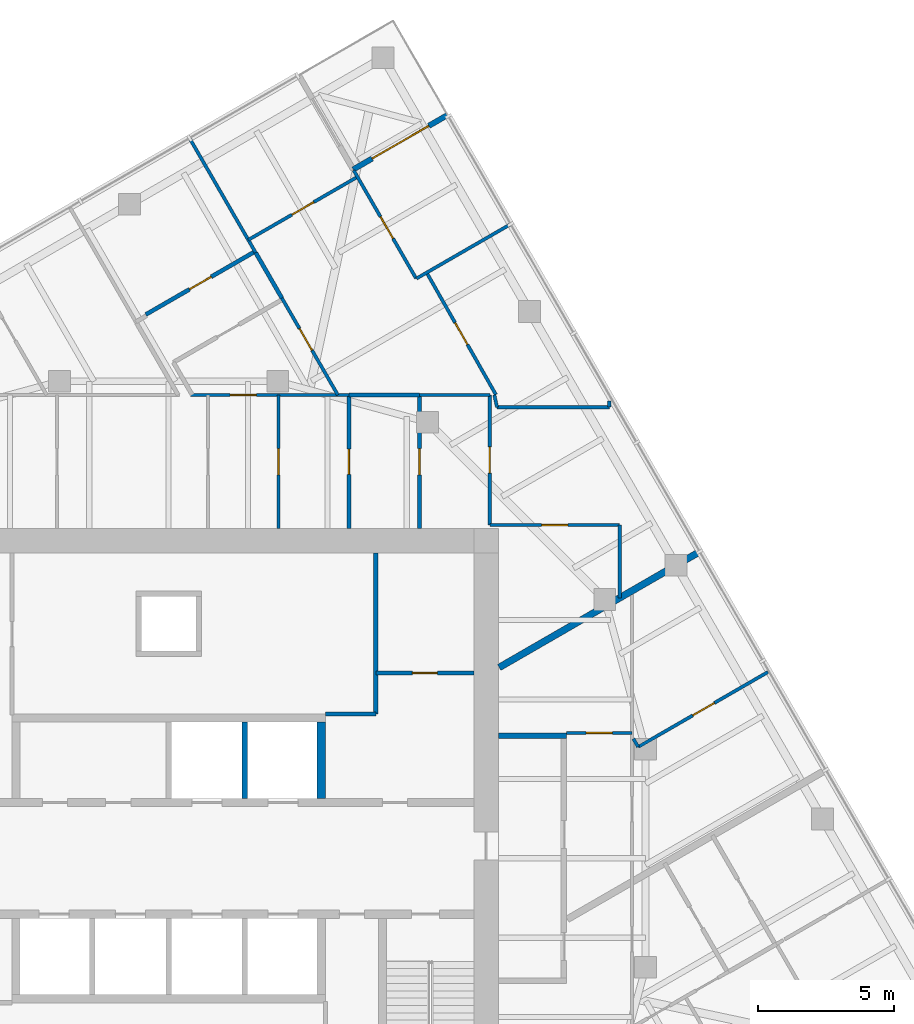
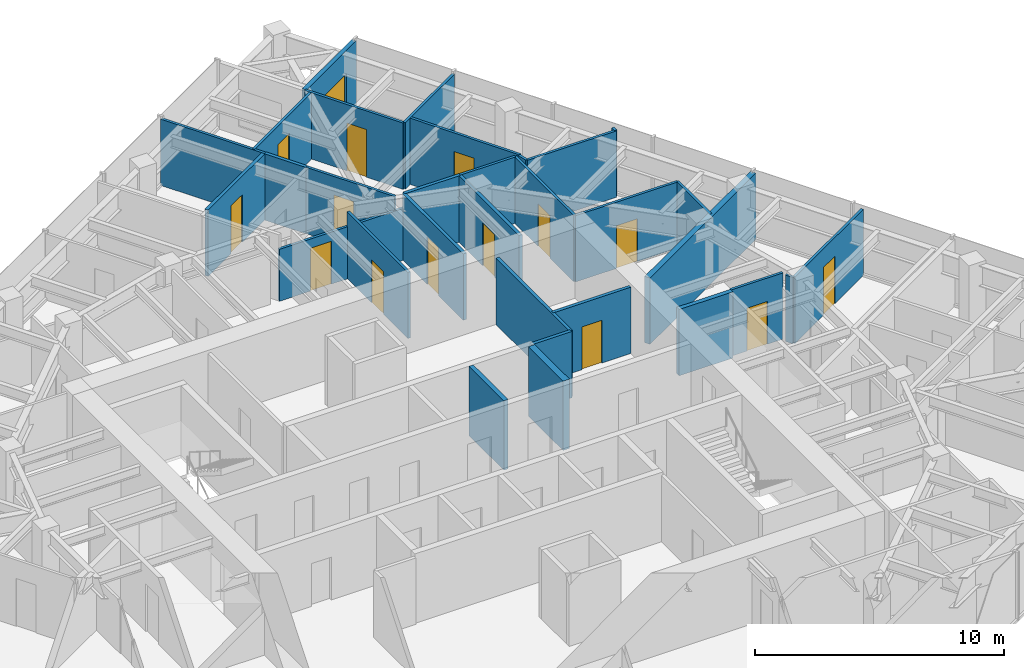
# One storey, part 11 of 13: 31 walls, 15 doors, 15 openings.
"""IFC4 building model written with IfcOpenShell, lengths in metres."""

from ifc_helpers import new_model, si_unit, direction, frame, frame_2d, origin, place, context, subcontext, project, spatial, rectangle, extrude, material, layer, layer_set, type_object, element, fill, save


model = new_model("IFC4")

# Units and contexts
model_context = context("Model", 3, precision=1e-05, world=origin(), true_north=direction((0.0, 1.0)))
body_context = subcontext(model_context, "Body", "Model", "MODEL_VIEW")
ifc_project = project(units=[si_unit("LENGTHUNIT", "METRE"), si_unit("AREAUNIT", "SQUARE_METRE"), si_unit("VOLUMEUNIT", "CUBIC_METRE"), si_unit("PLANEANGLEUNIT", "RADIAN"), si_unit("MASSUNIT", "GRAM", prefix="KILO")], contexts=[model_context])

# Site, building, storey
site_placement = place(None, origin())
site = spatial("IfcSite", under=ifc_project, at=site_placement, CompositionType="ELEMENT")
building_placement = place(site_placement, origin())
building = spatial("IfcBuilding", under=site, at=building_placement, Name="Torsade Residences", CompositionType="ELEMENT")
storey_placement = place(building_placement, frame((0.0, 0.0, 208.199951171875)))
storey = spatial("IfcBuildingStorey", under=building, at=storey_placement, Name="L57", CompositionType="ELEMENT", Elevation=208.199951171875)

# Walls
ifc_material_1 = material(Name="Concrete 80 MPa", Category="concrete")
ifc_layer_1 = layer(ifc_material_1, 0.300048828125)
ifc_layer_set_1 = layer_set([ifc_layer_1], Name="Concrete 80 MPa")
wall_type_1 = type_object("IfcWallType", Name="CORE INTERNAL WALL 300", PredefinedType="SHEAR", material=ifc_layer_set_1)
wall_1_placement = place(storey_placement, frame((45.60009765625, 32.199951171875, 0.0), z_axis=(0.0, 0.0, 1.0), x_axis=(0.0, 1.0, 0.0)))
element("IfcWall", 1, at=wall_1_placement, inside=storey, type_object=wall_type_1, Name="Core wall DN4 L57", PredefinedType="SHEAR", context=body_context, shape_type="SweptSolid", body=[
    extrude(rectangle(XDim=2.800048828125, YDim=0.300048828125, at=frame_2d((1.39990234375, 0.0))), origin(), (0.0, 0.0, 1.0), 3.400146484375),
])
ifc_material_2 = material(Name="Plasterboard on steel stud", Category="steel")
ifc_layer_2 = layer(ifc_material_2, 0.199951171875)
ifc_layer_set_2 = layer_set([ifc_layer_2], Name="Plasterboard on steel stud")
wall_type_2 = type_object("IfcWallType", Name="CORRIDOR WALL 200", PredefinedType="PARTITIONING", material=ifc_layer_set_2)
wall_2_placement = place(storey_placement, frame((52.10009765625, 34.5, 0.0), z_axis=(0.0, 0.0, 1.0), x_axis=(1.0, 0.0, 0.0)))
element("IfcWall", 2, at=wall_2_placement, inside=storey, type_object=wall_type_2, Name="Corridor wall L57", PredefinedType="PARTITIONING", context=body_context, shape_type="SweptSolid", body=[
    extrude(rectangle(XDim=2.5, YDim=0.199951171875, at=frame_2d((1.25, 0.0))), origin(), (0.0, 0.0, 1.0), 3.25),
])
ifc_material_3 = material(Name="Reinforced blockwork", Category="masonry")
ifc_layer_3 = layer(ifc_material_3, 0.199951171875)
ifc_layer_set_3 = layer_set([ifc_layer_3], Name="Reinforced blockwork")
wall_type_3 = type_object("IfcWallType", Name="LIFT SHAFT DIVIDING WALL 200", PredefinedType="SOLIDWALL", material=ifc_layer_set_3)
wall_3_placement = place(storey_placement, frame((42.800048828125, 32.199951171875, 0.0), z_axis=(0.0, 0.0, 1.0), x_axis=(0.0, 1.0, 0.0)))
element("IfcWall", 3, at=wall_3_placement, inside=storey, type_object=wall_type_3, Name="Core wall DN3 L57", PredefinedType="SOLIDWALL", context=body_context, shape_type="SweptSolid", body=[
    extrude(rectangle(XDim=2.800048828125, YDim=0.199951171875, at=frame_2d((1.39990234375, 0.0))), origin(), (0.0, 0.0, 1.0), 3.400146484375),
])

# Wall, opening, door
ifc_material_4 = material(Name="Plasterboard on steel stud", Category="steel")
ifc_layer_4 = layer(ifc_material_4, 0.1201171875)
ifc_layer_set_4 = layer_set([ifc_layer_4], Name="Plasterboard on steel stud")
wall_type_4 = type_object("IfcWallType", Name="PARTITION 120", PredefinedType="PARTITIONING", material=ifc_layer_set_4)
wall_4_placement = place(storey_placement, frame((54.60009765625, 34.60009765625, 0.0), z_axis=(0.0, 0.0, 1.0), x_axis=(1.0, 0.0, 0.0)))
wall_4 = element("IfcWall", 4, at=wall_4_placement, inside=storey, type_object=wall_type_4, Name="Partition L57", PredefinedType="PARTITIONING", context=body_context, shape_type="SweptSolid", body=[
    extrude(rectangle(XDim=2.39990234375, YDim=0.1201171875, at=frame_2d((1.199951171875, 0.0))), origin(), (0.0, 0.0, 1.0), 3.25),
])
opening_1_placement = place(wall_4_placement, frame((0.719970703125, 0.0, 0.0)))
opening_1 = element("IfcOpeningElement", 5, at=opening_1_placement, cuts=wall_4, Name="Opening D05", PredefinedType="OPENING", context=body_context, shape_type="SweptSolid", body=[
    extrude(rectangle(XDim=0.9599609375, YDim=2.10009765625, at=frame_2d((0.47998046875, 1.050048828125))), frame((0.0, 0.070068359375, 0.0), z_axis=(0.0, -1.0, 0.0), x_axis=(1.0, 0.0, 0.0)), (0.0, 0.0, 1.0), 0.14013671875),
])
ifc_material_5 = material(Name="Hollow-core timber door in a steel cavity frame", Category="steel")
door_type_1 = type_object("IfcDoorType", Name="BATHROOM CAVITY SLIDING DOOR 960", OperationType="SLIDING_TO_LEFT", PredefinedType="DOOR", material=ifc_material_5)
door_1_placement = place(opening_1_placement, origin())
door_1 = element("IfcDoor", 6, at=door_1_placement, inside=storey, type_object=door_type_1, Name="Door Kitchen and dining to Bathroom", OperationType="SLIDING_TO_LEFT", OverallHeight=2.10009765625, OverallWidth=0.9599609375, PredefinedType="DOOR", context=body_context, shape_type="SweptSolid", body=[
    extrude(rectangle(XDim=0.9599609375, YDim=2.10009765625, at=frame_2d((0.47998046875, 1.050048828125))), frame((0.0, 0.02490234375, 0.0), z_axis=(0.0, -1.0, 0.0), x_axis=(1.0, 0.0, 0.0)), (0.0, 0.0, 1.0), 0.050048828125),
])
fill(opening_1, door_1)

# Wall
wall_5_placement = place(storey_placement, frame((57.050048828125, 34.387939453125, 0.0), z_axis=(0.0, 0.0, 1.0), x_axis=(0.49996389635, -0.866046247233, 0.0)))
element("IfcWall", 7, at=wall_5_placement, inside=storey, type_object=wall_type_4, Name="Partition L57", PredefinedType="PARTITIONING", context=body_context, shape_type="SweptSolid", body=[
    extrude(rectangle(XDim=0.35009765625, YDim=0.1201171875, at=frame_2d((0.175048828125, 0.0))), origin(), (0.0, 0.0, 1.0), 3.25),
])

# Wall, opening, door
wall_6_placement = place(storey_placement, frame((57.22509765625, 34.084716796875, 0.0), z_axis=(0.0, 0.0, 1.0), x_axis=(0.866019274569, 0.500010615962, 0.0)))
wall_6 = element("IfcWall", 8, at=wall_6_placement, inside=storey, type_object=wall_type_4, Name="Partition L57", PredefinedType="PARTITIONING", context=body_context, shape_type="SweptSolid", body=[
    extrude(rectangle(XDim=5.50048828125, YDim=0.1201171875, at=frame_2d((2.750244140625, 0.0))), origin(), (0.0, 0.0, 1.0), 3.25),
])
opening_2_placement = place(wall_6_placement, frame((2.31005859375, 0.0, 0.0)))
opening_2 = element("IfcOpeningElement", 9, at=opening_2_placement, cuts=wall_6, Name="Opening D02", PredefinedType="OPENING", context=body_context, shape_type="SweptSolid", body=[
    extrude(rectangle(XDim=0.919921875, YDim=2.340087890625, at=frame_2d((0.4599609375, 1.169921875))), frame((0.0, 0.070068359375, 0.0), z_axis=(0.0, -1.0, 0.0), x_axis=(1.0, 0.0, 0.0)), (0.0, 0.0, 1.0), 0.14013671875),
])
ifc_material_6 = material(Name="Hollow-core timber door", Category="wood")
door_type_2 = type_object("IfcDoorType", Name="INTERNAL DOOR 920x2340", OperationType="NOTDEFINED", PredefinedType="DOOR", material=ifc_material_6)
door_2_placement = place(opening_2_placement, origin())
door_2 = element("IfcDoor", 10, at=door_2_placement, inside=storey, type_object=door_type_2, Name="Door Living room to Bedroom 1", OperationType="SINGLE_SWING_LEFT", OverallHeight=2.340087890625, OverallWidth=0.919921875, PredefinedType="DOOR", context=body_context, shape_type="SweptSolid", body=[
    extrude(rectangle(XDim=0.919921875, YDim=2.340087890625, at=frame_2d((0.4599609375, 1.169921875))), frame((0.0, 0.02490234375, 0.0), z_axis=(0.0, -1.0, 0.0), x_axis=(1.0, 0.0, 0.0)), (0.0, 0.0, 1.0), 0.050048828125),
])
fill(opening_2, door_2)

wall_7_placement = place(storey_placement, frame((51.78173828125, 42.225830078125, 0.0), z_axis=(0.0, 0.0, 1.0), x_axis=(1.0, 0.0, 0.0)))
wall_7 = element("IfcWall", 11, at=wall_7_placement, inside=storey, type_object=wall_type_4, Name="Partition L57", PredefinedType="PARTITIONING", context=body_context, shape_type="SweptSolid", body=[
    extrude(rectangle(XDim=4.768310546875, YDim=0.1201171875, at=frame_2d((2.38427734375, 0.0))), origin(), (0.0, 0.0, 1.0), 3.25),
])
opening_3_placement = place(wall_7_placement, frame((1.904052734375, 0.0, 0.0)))
opening_3 = element("IfcOpeningElement", 12, at=opening_3_placement, cuts=wall_7, Name="Opening D05", PredefinedType="OPENING", context=body_context, shape_type="SweptSolid", body=[
    extrude(rectangle(XDim=0.9599609375, YDim=2.10009765625, at=frame_2d((0.47998046875, 1.050048828125))), frame((0.0, 0.070068359375, 0.0), z_axis=(0.0, -1.0, 0.0), x_axis=(1.0, 0.0, 0.0)), (0.0, 0.0, 1.0), 0.14013671875),
])
door_3_placement = place(opening_3_placement, origin())
door_3 = element("IfcDoor", 13, at=door_3_placement, inside=storey, type_object=door_type_1, Name="Door Dressing room to Bathroom", OperationType="SLIDING_TO_LEFT", OverallHeight=2.10009765625, OverallWidth=0.9599609375, PredefinedType="DOOR", context=body_context, shape_type="SweptSolid", body=[
    extrude(rectangle(XDim=0.9599609375, YDim=2.10009765625, at=frame_2d((0.47998046875, 1.050048828125))), frame((0.0, 0.02490234375, 0.0), z_axis=(0.0, -1.0, 0.0), x_axis=(1.0, 0.0, 0.0)), (0.0, 0.0, 1.0), 0.050048828125),
])
fill(opening_3, door_3)

# Wall
wall_8_placement = place(storey_placement, frame((56.550048828125, 42.225830078125, 0.0), z_axis=(0.0, 0.0, 1.0), x_axis=(0.0, -1.0, 0.0)))
element("IfcWall", 14, at=wall_8_placement, inside=storey, type_object=wall_type_4, Name="Partition L57", PredefinedType="PARTITIONING", context=body_context, shape_type="SweptSolid", body=[
    extrude(rectangle(XDim=2.670654296875, YDim=0.1201171875, at=frame_2d((1.33544921875, 0.0))), origin(), (0.0, 0.0, 1.0), 3.25),
])

# Wall, opening, door
wall_9_placement = place(storey_placement, frame((51.78173828125, 42.225830078125, 0.0), z_axis=(0.0, 0.0, 1.0), x_axis=(0.0, 1.0, 0.0)))
wall_9 = element("IfcWall", 15, at=wall_9_placement, inside=storey, type_object=wall_type_4, Name="Partition L57", PredefinedType="PARTITIONING", context=body_context, shape_type="SweptSolid", body=[
    extrude(rectangle(XDim=4.774169921875, YDim=0.1201171875, at=frame_2d((2.38720703125, 0.0))), origin(), (0.0, 0.0, 1.0), 3.25),
])
opening_4_placement = place(wall_9_placement, frame((1.906982421875, 0.0, 0.0)))
opening_4 = element("IfcOpeningElement", 16, at=opening_4_placement, cuts=wall_9, Name="Opening D05", PredefinedType="OPENING", context=body_context, shape_type="SweptSolid", body=[
    extrude(rectangle(XDim=0.9599609375, YDim=2.10009765625, at=frame_2d((0.47998046875, 1.050048828125))), frame((0.0, 0.070068359375, 0.0), z_axis=(0.0, -1.0, 0.0), x_axis=(1.0, 0.0, 0.0)), (0.0, 0.0, 1.0), 0.14013671875),
])
door_4_placement = place(opening_4_placement, origin())
door_4 = element("IfcDoor", 17, at=door_4_placement, inside=storey, type_object=door_type_1, Name="Door WC to Dressing room", OperationType="SLIDING_TO_LEFT", OverallHeight=2.10009765625, OverallWidth=0.9599609375, PredefinedType="DOOR", context=body_context, shape_type="SweptSolid", body=[
    extrude(rectangle(XDim=0.9599609375, YDim=2.10009765625, at=frame_2d((0.47998046875, 1.050048828125))), frame((0.0, 0.02490234375, 0.0), z_axis=(0.0, -1.0, 0.0), x_axis=(1.0, 0.0, 0.0)), (0.0, 0.0, 1.0), 0.050048828125),
])
fill(opening_4, door_4)

# Walls
wall_10_placement = place(storey_placement, frame((51.94921875, 47.0, 0.0), z_axis=(0.0, 0.0, 1.0), x_axis=(0.21715477266, -0.976137185395, 0.0)))
element("IfcWall", 18, at=wall_10_placement, inside=storey, type_object=wall_type_4, Name="Partition L57", PredefinedType="PARTITIONING", context=body_context, shape_type="SweptSolid", body=[
    extrude(rectangle(XDim=0.4609375, YDim=0.1201171875, at=frame_2d((0.23046875, 0.0))), origin(), (0.0, 0.0, 1.0), 3.25),
])
wall_11_placement = place(storey_placement, frame((52.04931640625, 46.550048828125, 0.0), z_axis=(0.0, 0.0, 1.0), x_axis=(1.0, 0.0, 0.0)))
element("IfcWall", 19, at=wall_11_placement, inside=storey, type_object=wall_type_4, Name="Partition L57", PredefinedType="PARTITIONING", context=body_context, shape_type="SweptSolid", body=[
    extrude(rectangle(XDim=4.116455078125, YDim=0.1201171875, at=frame_2d((2.05810546875, 0.0))), origin(), (0.0, 0.0, 1.0), 3.25),
])
wall_12_placement = place(storey_placement, frame((56.165771484375, 46.550048828125, 0.0), z_axis=(0.0, 0.0, 1.0), x_axis=(0.0, 1.0, 0.0)))
element("IfcWall", 20, at=wall_12_placement, inside=storey, type_object=wall_type_4, Name="Partition L57", PredefinedType="PARTITIONING", context=body_context, shape_type="SweptSolid", body=[
    extrude(rectangle(XDim=0.224853515625, YDim=0.1201171875, at=frame_2d((0.1123046875, 0.0))), origin(), (0.0, 0.0, 1.0), 3.25),
])

# Wall, opening, door
wall_13_placement = place(storey_placement, frame((44.027587890625, 47.0, 0.0), z_axis=(0.0, 0.0, 1.0), x_axis=(0.0, -1.0, 0.0)))
wall_13 = element("IfcWall", 21, at=wall_13_placement, inside=storey, type_object=wall_type_4, Name="Partition L57", PredefinedType="PARTITIONING", context=body_context, shape_type="SweptSolid", body=[
    extrude(rectangle(XDim=4.89990234375, YDim=0.1201171875, at=frame_2d((2.449951171875, 0.0))), origin(), (0.0, 0.0, 1.0), 3.25),
])
opening_5_placement = place(wall_13_placement, frame((1.969970703125, 0.0, 0.0)))
opening_5 = element("IfcOpeningElement", 22, at=opening_5_placement, cuts=wall_13, Name="Opening D05", PredefinedType="OPENING", context=body_context, shape_type="SweptSolid", body=[
    extrude(rectangle(XDim=0.9599609375, YDim=2.10009765625, at=frame_2d((0.47998046875, 1.050048828125))), frame((0.0, 0.070068359375, 0.0), z_axis=(0.0, -1.0, 0.0), x_axis=(1.0, 0.0, 0.0)), (0.0, 0.0, 1.0), 0.14013671875),
])
door_5_placement = place(opening_5_placement, origin())
door_5 = element("IfcDoor", 23, at=door_5_placement, inside=storey, type_object=door_type_1, Name="Door Ensuite to Dressing room 2", OperationType="SLIDING_TO_LEFT", OverallHeight=2.10009765625, OverallWidth=0.9599609375, PredefinedType="DOOR", context=body_context, shape_type="SweptSolid", body=[
    extrude(rectangle(XDim=0.9599609375, YDim=2.10009765625, at=frame_2d((0.47998046875, 1.050048828125))), frame((0.0, 0.02490234375, 0.0), z_axis=(0.0, -1.0, 0.0), x_axis=(1.0, 0.0, 0.0)), (0.0, 0.0, 1.0), 0.050048828125),
])
fill(opening_5, door_5)

wall_14_placement = place(storey_placement, frame((40.808349609375, 47.0, 0.0), z_axis=(0.0, 0.0, 1.0), x_axis=(1.0, 0.0, 0.0)))
wall_14 = element("IfcWall", 24, at=wall_14_placement, inside=storey, type_object=wall_type_4, Name="Partition L57", PredefinedType="PARTITIONING", context=body_context, shape_type="SweptSolid", body=[
    extrude(rectangle(XDim=5.803955078125, YDim=0.1201171875, at=frame_2d((2.90185546875, 0.0))), origin(), (0.0, 0.0, 1.0), 2.550048828125),
])
opening_6_placement = place(wall_14_placement, frame((1.447021484375, 0.0, 0.0)))
opening_6 = element("IfcOpeningElement", 25, at=opening_6_placement, cuts=wall_14, Name="Opening D05", PredefinedType="OPENING", context=body_context, shape_type="SweptSolid", body=[
    extrude(rectangle(XDim=0.9599609375, YDim=2.10009765625, at=frame_2d((0.47998046875, 1.050048828125))), frame((0.0, 0.070068359375, 0.0), z_axis=(0.0, -1.0, 0.0), x_axis=(1.0, 0.0, 0.0)), (0.0, 0.0, 1.0), 0.14013671875),
])
door_6_placement = place(opening_6_placement, origin())
door_6 = element("IfcDoor", 26, at=door_6_placement, inside=storey, type_object=door_type_1, Name="Door Ensuite to Walk-in robe 2", OperationType="SLIDING_TO_LEFT", OverallHeight=2.10009765625, OverallWidth=0.9599609375, PredefinedType="DOOR", context=body_context, shape_type="SweptSolid", body=[
    extrude(rectangle(XDim=0.9599609375, YDim=2.10009765625, at=frame_2d((0.47998046875, 1.050048828125))), frame((0.0, 0.02490234375, 0.0), z_axis=(0.0, -1.0, 0.0), x_axis=(1.0, 0.0, 0.0)), (0.0, 0.0, 1.0), 0.050048828125),
])
fill(opening_6, door_6)

# Walls
wall_15_placement = place(storey_placement, frame((49.197021484375, 47.0, 0.0), z_axis=(0.0, 0.0, 1.0), x_axis=(1.0, 0.0, 0.0)))
element("IfcWall", 27, at=wall_15_placement, inside=storey, type_object=wall_type_4, Name="Partition L57", PredefinedType="PARTITIONING", context=body_context, shape_type="SweptSolid", body=[
    extrude(rectangle(XDim=2.584716796875, YDim=0.1201171875, at=frame_2d((1.29248046875, 0.0))), origin(), (0.0, 0.0, 1.0), 3.25),
])
wall_16_placement = place(storey_placement, frame((43.193115234375, 52.219482421875, 0.0), z_axis=(0.0, 0.0, 1.0), x_axis=(-0.50000634465, 0.866021740668, 0.0)))
element("IfcWall", 28, at=wall_16_placement, inside=storey, type_object=wall_type_4, Name="Partition L57", PredefinedType="PARTITIONING", context=body_context, shape_type="SweptSolid", body=[
    extrude(rectangle(XDim=4.81396484375, YDim=0.1201171875, at=frame_2d((2.406982421875, 0.0))), origin(), (0.0, 0.0, 1.0), 3.25),
])

# Wall, opening, door
wall_17_placement = place(storey_placement, frame((49.466552734375, 51.48681640625, 0.0), z_axis=(0.0, 0.0, 1.0), x_axis=(0.49354052196, -0.869722802497, 0.0)))
wall_17 = element("IfcWall", 29, at=wall_17_placement, inside=storey, type_object=wall_type_4, Name="Partition L57", PredefinedType="PARTITIONING", context=body_context, shape_type="SweptSolid", body=[
    extrude(rectangle(XDim=5.14453125, YDim=0.1201171875, at=frame_2d((2.572265625, 0.0))), origin(), (0.0, 0.0, 1.0), 3.25),
])
opening_7_placement = place(wall_17_placement, frame((2.1123046875, 0.0, 0.0)))
opening_7 = element("IfcOpeningElement", 30, at=opening_7_placement, cuts=wall_17, Name="Opening D02", PredefinedType="OPENING", context=body_context, shape_type="SweptSolid", body=[
    extrude(rectangle(XDim=0.919921875, YDim=2.340087890625, at=frame_2d((0.4599609375, 1.169921875))), frame((0.0, 0.070068359375, 0.0), z_axis=(0.0, -1.0, 0.0), x_axis=(1.0, 0.0, 0.0)), (0.0, 0.0, 1.0), 0.14013671875),
])
door_7_placement = place(opening_7_placement, origin())
door_7 = element("IfcDoor", 31, at=door_7_placement, inside=storey, type_object=door_type_2, Name="Door Walk-in robe to Media room", OperationType="SINGLE_SWING_LEFT", OverallHeight=2.340087890625, OverallWidth=0.919921875, PredefinedType="DOOR", context=body_context, shape_type="SweptSolid", body=[
    extrude(rectangle(XDim=0.919921875, YDim=2.340087890625, at=frame_2d((0.4599609375, 1.169921875))), frame((0.0, 0.02490234375, 0.0), z_axis=(0.0, -1.0, 0.0), x_axis=(1.0, 0.0, 0.0)), (0.0, 0.0, 1.0), 0.050048828125),
])
fill(opening_7, door_7)

wall_18_placement = place(storey_placement, frame((46.20654296875, 47.0, 0.0), z_axis=(0.0, 0.0, 1.0), x_axis=(-0.499986975689, 0.866032923243, 0.0)))
wall_18 = element("IfcWall", 32, at=wall_18_placement, inside=storey, type_object=wall_type_4, Name="Partition L57", PredefinedType="PARTITIONING", context=body_context, shape_type="SweptSolid", body=[
    extrude(rectangle(XDim=4.10107421875, YDim=0.1201171875, at=frame_2d((2.050537109375, 0.0))), origin(), (0.0, 0.0, 1.0), 3.25),
])
opening_8_placement = place(wall_18_placement, frame((1.890625, 0.0, 0.0)))
opening_8 = element("IfcOpeningElement", 33, at=opening_8_placement, cuts=wall_18, Name="Opening D02", PredefinedType="OPENING", context=body_context, shape_type="SweptSolid", body=[
    extrude(rectangle(XDim=0.919921875, YDim=2.340087890625, at=frame_2d((0.4599609375, 1.169921875))), frame((0.0, 0.070068359375, 0.0), z_axis=(0.0, -1.0, 0.0), x_axis=(1.0, 0.0, 0.0)), (0.0, 0.0, 1.0), 0.14013671875),
])
door_8_placement = place(opening_8_placement, origin())
door_8 = element("IfcDoor", 34, at=door_8_placement, inside=storey, type_object=door_type_2, Name="Door Walk-in robe 2 to Walk-in robe", OperationType="SINGLE_SWING_RIGHT", OverallHeight=2.340087890625, OverallWidth=0.919921875, PredefinedType="DOOR", context=body_context, shape_type="SweptSolid", body=[
    extrude(rectangle(XDim=0.919921875, YDim=2.340087890625, at=frame_2d((0.4599609375, 1.169921875))), frame((0.0, 0.02490234375, 0.0), z_axis=(0.0, -1.0, 0.0), x_axis=(1.0, 0.0, 0.0)), (0.0, 0.0, 1.0), 0.050048828125),
])
fill(opening_8, door_8)

wall_19_placement = place(storey_placement, frame((42.92236328125, 52.688232421875, 0.0), z_axis=(0.0, 0.0, 1.0), x_axis=(0.866025598446, 0.499999662836, 0.0)))
wall_19 = element("IfcWall", 35, at=wall_19_placement, inside=storey, type_object=wall_type_4, Name="Partition L57", PredefinedType="PARTITIONING", context=body_context, shape_type="SweptSolid", body=[
    extrude(rectangle(XDim=4.625, YDim=0.1201171875, at=frame_2d((2.3125, 0.0))), origin(), (0.0, 0.0, 1.0), 3.25),
])
opening_9_placement = place(wall_19_placement, frame((1.8525390625, 0.0, 0.0)))
opening_9 = element("IfcOpeningElement", 36, at=opening_9_placement, cuts=wall_19, Name="Opening D02", PredefinedType="OPENING", context=body_context, shape_type="SweptSolid", body=[
    extrude(rectangle(XDim=0.919921875, YDim=2.340087890625, at=frame_2d((0.4599609375, 1.169921875))), frame((0.0, 0.070068359375, 0.0), z_axis=(0.0, -1.0, 0.0), x_axis=(1.0, 0.0, 0.0)), (0.0, 0.0, 1.0), 0.14013671875),
])
door_9_placement = place(opening_9_placement, origin())
door_9 = element("IfcDoor", 37, at=door_9_placement, inside=storey, type_object=door_type_2, Name="Door Walk-in robe to Study 2", OperationType="SINGLE_SWING_LEFT", OverallHeight=2.340087890625, OverallWidth=0.919921875, PredefinedType="DOOR", context=body_context, shape_type="SweptSolid", body=[
    extrude(rectangle(XDim=0.919921875, YDim=2.340087890625, at=frame_2d((0.4599609375, 1.169921875))), frame((0.0, 0.02490234375, 0.0), z_axis=(0.0, -1.0, 0.0), x_axis=(1.0, 0.0, 0.0)), (0.0, 0.0, 1.0), 0.050048828125),
])
fill(opening_9, door_9)

wall_20_placement = place(storey_placement, frame((46.79150390625, 55.23681640625, 0.0), z_axis=(0.0, 0.0, 1.0), x_axis=(0.500018023529, -0.866014997645, 0.0)))
wall_20 = element("IfcWall", 38, at=wall_20_placement, inside=storey, type_object=wall_type_4, Name="Partition L57", PredefinedType="PARTITIONING", context=body_context, shape_type="SweptSolid", body=[
    extrude(rectangle(XDim=4.575927734375, YDim=0.1201171875, at=frame_2d((2.2880859375, 0.0))), origin(), (0.0, 0.0, 1.0), 3.25),
])
opening_10_placement = place(wall_20_placement, frame((1.96435546875, 0.0, 0.0)))
opening_10 = element("IfcOpeningElement", 39, at=opening_10_placement, cuts=wall_20, Name="Opening D02", PredefinedType="OPENING", context=body_context, shape_type="SweptSolid", body=[
    extrude(rectangle(XDim=0.919921875, YDim=2.340087890625, at=frame_2d((0.4599609375, 1.169921875))), frame((0.0, 0.070068359375, 0.0), z_axis=(0.0, -1.0, 0.0), x_axis=(1.0, 0.0, 0.0)), (0.0, 0.0, 1.0), 0.14013671875),
])
door_10_placement = place(opening_10_placement, origin())
door_10 = element("IfcDoor", 40, at=door_10_placement, inside=storey, type_object=door_type_2, Name="Door Walk-in robe to Family room 2", OperationType="SINGLE_SWING_RIGHT", OverallHeight=2.340087890625, OverallWidth=0.919921875, PredefinedType="DOOR", context=body_context, shape_type="SweptSolid", body=[
    extrude(rectangle(XDim=0.919921875, YDim=2.340087890625, at=frame_2d((0.4599609375, 1.169921875))), frame((0.0, 0.02490234375, 0.0), z_axis=(0.0, -1.0, 0.0), x_axis=(1.0, 0.0, 0.0)), (0.0, 0.0, 1.0), 0.050048828125),
])
fill(opening_10, door_10)

# Walls
wall_21_placement = place(storey_placement, frame((49.092529296875, 51.27099609375, 0.0), z_axis=(0.0, 0.0, 1.0), x_axis=(0.866020906874, 0.500007788796, 0.0)))
element("IfcWall", 41, at=wall_21_placement, inside=storey, type_object=wall_type_4, Name="Partition L57", PredefinedType="PARTITIONING", context=body_context, shape_type="SweptSolid", body=[
    extrude(rectangle(XDim=3.9501953125, YDim=0.1201171875, at=frame_2d((1.97509765625, 0.0))), origin(), (0.0, 0.0, 1.0), 3.25),
])
ifc_material_7 = material(Name="Masonry-lined stud party wall", Category="masonry")
ifc_layer_5 = layer(ifc_material_7, 0.25)
ifc_layer_set_5 = layer_set([ifc_layer_5], Name="Masonry-lined stud party wall")
wall_type_5 = type_object("IfcWallType", Name="PARTY WALL 250", PredefinedType="PARTITIONING", material=ifc_layer_set_5)
wall_22_placement = place(storey_placement, frame((59.485595703125, 41.25, 0.0), z_axis=(0.0, 0.0, 1.0), x_axis=(-0.866020489494, -0.500008511703, 0.0)))
element("IfcWall", 42, at=wall_22_placement, inside=storey, type_object=wall_type_5, Name="Party wall L57", PredefinedType="PARTITIONING", context=body_context, shape_type="SweptSolid", body=[
    extrude(rectangle(XDim=8.495849609375, YDim=0.25, at=frame_2d((4.248046875, 0.0))), origin(), (0.0, 0.0, 1.0), 3.25),
])
ifc_material_8 = material(Name="Reinforced blockwork", Category="masonry")
ifc_layer_6 = layer(ifc_material_8, 0.14990234375)
ifc_layer_set_6 = layer_set([ifc_layer_6], Name="Reinforced blockwork")
wall_type_6 = type_object("IfcWallType", Name="SERVICE ROOM WALL 150", PredefinedType="SOLIDWALL", material=ifc_layer_set_6)
wall_23_placement = place(storey_placement, frame((47.60009765625, 41.199951171875, 0.0), z_axis=(0.0, 0.0, 1.0), x_axis=(0.0, -1.0, 0.0)))
element("IfcWall", 43, at=wall_23_placement, inside=storey, type_object=wall_type_6, Name="Service room wall L57", PredefinedType="SOLIDWALL", context=body_context, shape_type="SweptSolid", body=[
    extrude(rectangle(XDim=5.89990234375, YDim=0.14990234375, at=frame_2d((2.949951171875, 0.0))), origin(), (0.0, 0.0, 1.0), 3.25),
])
wall_24_placement = place(storey_placement, frame((47.60009765625, 35.300048828125, 0.0), z_axis=(0.0, 0.0, 1.0), x_axis=(-1.0, 0.0, 0.0)))
element("IfcWall", 44, at=wall_24_placement, inside=storey, type_object=wall_type_6, Name="Service room wall L57", PredefinedType="SOLIDWALL", context=body_context, shape_type="SweptSolid", body=[
    extrude(rectangle(XDim=1.85009765625, YDim=0.14990234375, at=frame_2d((0.925048828125, 0.0))), origin(), (0.0, 0.0, 1.0), 3.25),
])

# Wall, opening, door
wall_25_placement = place(storey_placement, frame((47.60009765625, 36.800048828125, 0.0), z_axis=(0.0, 0.0, 1.0), x_axis=(1.0, 0.0, 0.0)))
wall_25 = element("IfcWall", 45, at=wall_25_placement, inside=storey, type_object=wall_type_6, Name="Service room wall L57", PredefinedType="SOLIDWALL", context=body_context, shape_type="SweptSolid", body=[
    extrude(rectangle(XDim=3.599853515625, YDim=0.14990234375, at=frame_2d((1.7998046875, 0.0))), origin(), (0.0, 0.0, 1.0), 3.25),
])
opening_11_placement = place(wall_25_placement, frame((1.340087890625, 0.0, 0.0)))
opening_11 = element("IfcOpeningElement", 46, at=opening_11_placement, cuts=wall_25, Name="Opening D06", PredefinedType="OPENING", context=body_context, shape_type="SweptSolid", body=[
    extrude(rectangle(XDim=0.919921875, YDim=2.10009765625, at=frame_2d((0.4599609375, 1.050048828125))), frame((0.0, 0.0849609375, 0.0), z_axis=(0.0, -1.0, 0.0), x_axis=(1.0, 0.0, 0.0)), (0.0, 0.0, 1.0), 0.169921875),
])
ifc_material_9 = material(Name="Steel-framed fire door", Category="steel")
door_type_3 = type_object("IfcDoorType", Name="FIRE DOOR 920", OperationType="NOTDEFINED", PredefinedType="DOOR", material=ifc_material_9)
door_11_placement = place(opening_11_placement, origin())
door_11 = element("IfcDoor", 47, at=door_11_placement, inside=storey, type_object=door_type_3, Name="Door Refuse room to Bulky waste store", OperationType="SINGLE_SWING_LEFT", OverallHeight=2.10009765625, OverallWidth=0.919921875, PredefinedType="DOOR", context=body_context, shape_type="SweptSolid", body=[
    extrude(rectangle(XDim=0.919921875, YDim=2.10009765625, at=frame_2d((0.4599609375, 1.050048828125))), frame((0.0, 0.02490234375, 0.0), z_axis=(0.0, -1.0, 0.0), x_axis=(1.0, 0.0, 0.0)), (0.0, 0.0, 1.0), 0.050048828125),
])
fill(opening_11, door_11)

wall_26_placement = place(storey_placement, frame((46.6123046875, 47.0, 0.0), z_axis=(0.0, 0.0, 1.0), x_axis=(0.0, -1.0, 0.0)))
wall_26 = element("IfcWall", 48, at=wall_26_placement, inside=storey, type_object=wall_type_6, Name="Service room wall L57", PredefinedType="SOLIDWALL", context=body_context, shape_type="SweptSolid", body=[
    extrude(rectangle(XDim=4.89990234375, YDim=0.14990234375, at=frame_2d((2.449951171875, 0.0))), origin(), (0.0, 0.0, 1.0), 3.25),
])
opening_12_placement = place(wall_26_placement, frame((1.989990234375, 0.0, 0.0)))
opening_12 = element("IfcOpeningElement", 49, at=opening_12_placement, cuts=wall_26, Name="Opening D02", PredefinedType="OPENING", context=body_context, shape_type="SweptSolid", body=[
    extrude(rectangle(XDim=0.919921875, YDim=2.340087890625, at=frame_2d((0.4599609375, 1.169921875))), frame((0.0, 0.0849609375, 0.0), z_axis=(0.0, -1.0, 0.0), x_axis=(1.0, 0.0, 0.0)), (0.0, 0.0, 1.0), 0.169921875),
])
door_12_placement = place(opening_12_placement, origin())
door_12 = element("IfcDoor", 50, at=door_12_placement, inside=storey, type_object=door_type_2, Name="Door Dressing room 2 to Linen store", OperationType="SINGLE_SWING_LEFT", OverallHeight=2.340087890625, OverallWidth=0.919921875, PredefinedType="DOOR", context=body_context, shape_type="SweptSolid", body=[
    extrude(rectangle(XDim=0.919921875, YDim=2.340087890625, at=frame_2d((0.4599609375, 1.169921875))), frame((0.0, 0.02490234375, 0.0), z_axis=(0.0, -1.0, 0.0), x_axis=(1.0, 0.0, 0.0)), (0.0, 0.0, 1.0), 0.050048828125),
])
fill(opening_12, door_12)

wall_27_placement = place(storey_placement, frame((49.197021484375, 42.10009765625, 0.0), z_axis=(0.0, 0.0, 1.0), x_axis=(0.0, 1.0, 0.0)))
wall_27 = element("IfcWall", 51, at=wall_27_placement, inside=storey, type_object=wall_type_6, Name="Service room wall L57", PredefinedType="SOLIDWALL", context=body_context, shape_type="SweptSolid", body=[
    extrude(rectangle(XDim=4.89990234375, YDim=0.14990234375, at=frame_2d((2.449951171875, 0.0))), origin(), (0.0, 0.0, 1.0), 3.25),
])
opening_13_placement = place(wall_27_placement, frame((1.969970703125, 0.0, 0.0)))
opening_13 = element("IfcOpeningElement", 52, at=opening_13_placement, cuts=wall_27, Name="Opening D05", PredefinedType="OPENING", context=body_context, shape_type="SweptSolid", body=[
    extrude(rectangle(XDim=0.9599609375, YDim=2.10009765625, at=frame_2d((0.47998046875, 1.050048828125))), frame((0.0, 0.0849609375, 0.0), z_axis=(0.0, -1.0, 0.0), x_axis=(1.0, 0.0, 0.0)), (0.0, 0.0, 1.0), 0.169921875),
])
door_13_placement = place(opening_13_placement, origin())
door_13 = element("IfcDoor", 53, at=door_13_placement, inside=storey, type_object=door_type_1, Name="Door Linen store to WC", OperationType="SLIDING_TO_LEFT", OverallHeight=2.10009765625, OverallWidth=0.9599609375, PredefinedType="DOOR", context=body_context, shape_type="SweptSolid", body=[
    extrude(rectangle(XDim=0.9599609375, YDim=2.10009765625, at=frame_2d((0.47998046875, 1.050048828125))), frame((0.0, 0.02490234375, 0.0), z_axis=(0.0, -1.0, 0.0), x_axis=(1.0, 0.0, 0.0)), (0.0, 0.0, 1.0), 0.050048828125),
])
fill(opening_13, door_13)

# Walls
wall_28_placement = place(storey_placement, frame((46.6123046875, 47.0, 0.0), z_axis=(0.0, 0.0, 1.0), x_axis=(1.0, 0.0, 0.0)))
element("IfcWall", 54, at=wall_28_placement, inside=storey, type_object=wall_type_6, Name="Service room wall L57", PredefinedType="SOLIDWALL", context=body_context, shape_type="SweptSolid", body=[
    extrude(rectangle(XDim=2.584716796875, YDim=0.14990234375, at=frame_2d((1.29248046875, 0.0))), origin(), (0.0, 0.0, 1.0), 3.25),
])
wall_29_placement = place(storey_placement, frame((44.156005859375, 50.5517578125, 0.0), z_axis=(0.0, 0.0, 1.0), x_axis=(-0.50001143954, 0.866018799062, 0.0)))
element("IfcWall", 55, at=wall_29_placement, inside=storey, type_object=wall_type_6, Name="Service room wall L57", PredefinedType="SOLIDWALL", context=body_context, shape_type="SweptSolid", body=[
    extrude(rectangle(XDim=1.92578125, YDim=0.14990234375, at=frame_2d((0.962890625, 0.0))), origin(), (0.0, 0.0, 1.0), 3.25),
])

# Wall, opening, door
wall_30_placement = place(storey_placement, frame((43.16796875, 52.2626953125, 0.0), z_axis=(0.0, 0.0, 1.0), x_axis=(-0.866025598446, -0.499999662836, 0.0)))
wall_30 = element("IfcWall", 56, at=wall_30_placement, inside=storey, type_object=wall_type_6, Name="Service room wall L57", PredefinedType="SOLIDWALL", context=body_context, shape_type="SweptSolid", body=[
    extrude(rectangle(XDim=4.625, YDim=0.14990234375, at=frame_2d((2.3125, 0.0))), origin(), (0.0, 0.0, 1.0), 3.25),
])
opening_14_placement = place(wall_30_placement, frame((1.8525390625, 0.0, 0.0)))
opening_14 = element("IfcOpeningElement", 57, at=opening_14_placement, cuts=wall_30, Name="Opening D02", PredefinedType="OPENING", context=body_context, shape_type="SweptSolid", body=[
    extrude(rectangle(XDim=0.919921875, YDim=2.340087890625, at=frame_2d((0.4599609375, 1.169921875))), frame((0.0, 0.0849609375, 0.0), z_axis=(0.0, -1.0, 0.0), x_axis=(1.0, 0.0, 0.0)), (0.0, 0.0, 1.0), 0.169921875),
])
door_14_placement = place(opening_14_placement, origin())
door_14 = element("IfcDoor", 58, at=door_14_placement, inside=storey, type_object=door_type_2, Name="Door Linen store 2 to Family room", OperationType="SINGLE_SWING_LEFT", OverallHeight=2.340087890625, OverallWidth=0.919921875, PredefinedType="DOOR", context=body_context, shape_type="SweptSolid", body=[
    extrude(rectangle(XDim=0.919921875, YDim=2.340087890625, at=frame_2d((0.4599609375, 1.169921875))), frame((0.0, 0.02490234375, 0.0), z_axis=(0.0, -1.0, 0.0), x_axis=(1.0, 0.0, 0.0)), (0.0, 0.0, 1.0), 0.050048828125),
])
fill(opening_14, door_14)

ifc_material_10 = material(Name="Stone-faced precast concrete 40 MPa panel", Category="masonry")
ifc_layer_7 = layer(ifc_material_10, 0.199951171875)
ifc_layer_set_7 = layer_set([ifc_layer_7], Name="Stone-faced precast concrete 40 MPa panel")
wall_type_7 = type_object("IfcWallType", Name="TERRACE WALL 200", PredefinedType="SOLIDWALL", material=ifc_layer_set_7)
wall_31_placement = place(storey_placement, frame((50.235595703125, 57.271484375, 0.0), z_axis=(0.0, 0.0, 1.0), x_axis=(-0.866026010844, -0.49999894854, 0.0)))
wall_31 = element("IfcWall", 59, at=wall_31_placement, inside=storey, type_object=wall_type_7, Name="Terrace wall L57 5", PredefinedType="SOLIDWALL", context=body_context, shape_type="SweptSolid", body=[
    extrude(rectangle(XDim=4.0, YDim=0.199951171875, at=frame_2d((2.0, 0.0))), origin(), (0.0, 0.0, 1.0), 3.25),
])
opening_15_placement = place(wall_31_placement, frame((0.800048828125, 0.0, 0.0)))
opening_15 = element("IfcOpeningElement", 60, at=opening_15_placement, cuts=wall_31, Name="Opening D10A", PredefinedType="OPENING", context=body_context, shape_type="SweptSolid", body=[
    extrude(rectangle(XDim=2.39990234375, YDim=2.10009765625, at=frame_2d((1.199951171875, 1.050048828125))), frame((0.0, 0.10986328125, 0.0), z_axis=(0.0, -1.0, 0.0), x_axis=(1.0, 0.0, 0.0)), (0.0, 0.0, 1.0), 0.219970703125),
])
ifc_material_11 = material(Name="Aluminium-framed glass door", Category="aluminium")
door_type_4 = type_object("IfcDoorType", Name="TERRACE SLIDING DOOR 2400x2100", OperationType="SLIDING_TO_LEFT", PredefinedType="DOOR", material=ifc_material_11)
door_15_placement = place(opening_15_placement, origin())
door_15 = element("IfcDoor", 61, at=door_15_placement, inside=storey, type_object=door_type_4, Name="Terrace door L57 5", OperationType="SLIDING_TO_LEFT", OverallHeight=2.10009765625, OverallWidth=2.39990234375, PredefinedType="DOOR", context=body_context, shape_type="SweptSolid", body=[
    extrude(rectangle(XDim=2.39990234375, YDim=2.10009765625, at=frame_2d((1.199951171875, 1.050048828125))), frame((0.0, 0.02490234375, 0.0), z_axis=(0.0, -1.0, 0.0), x_axis=(1.0, 0.0, 0.0)), (0.0, 0.0, 1.0), 0.050048828125),
])
fill(opening_15, door_15)

save(model, "model.ifc")
